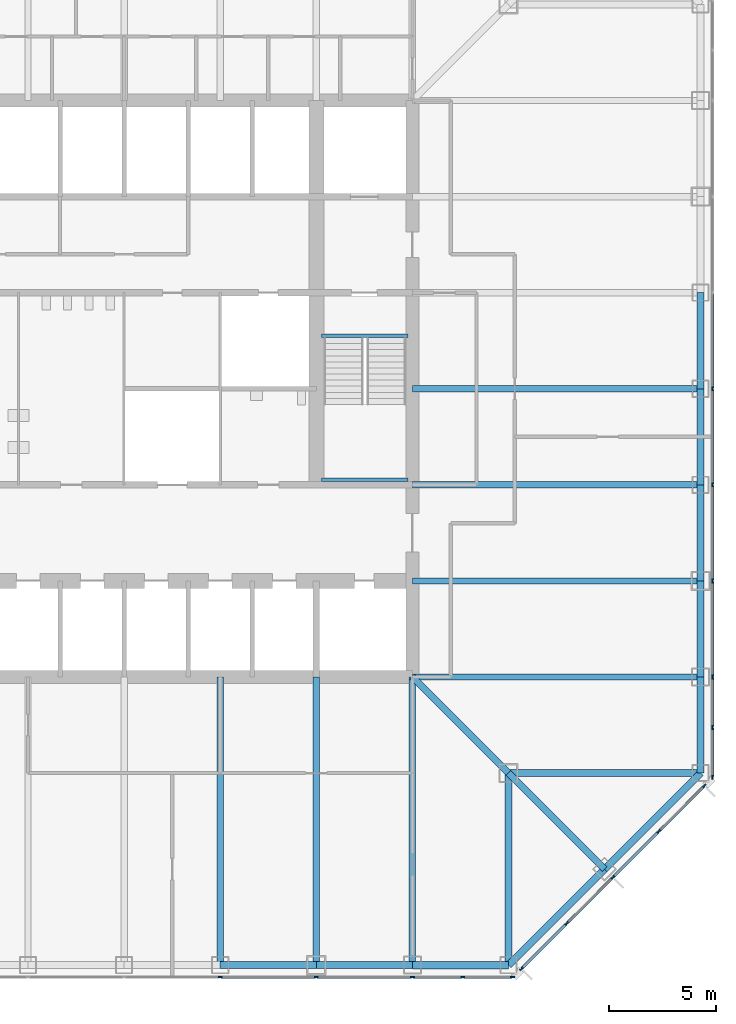
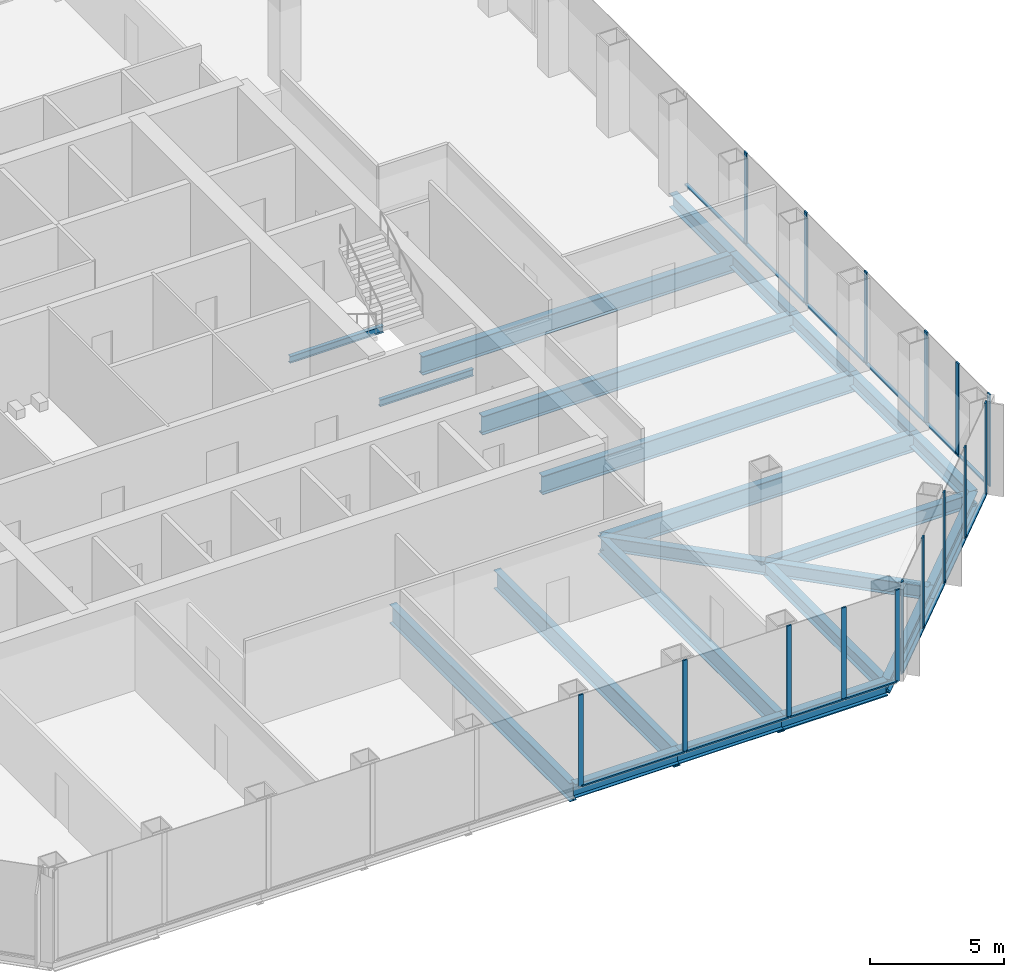
# One storey, part 4 of 13: 30 members, 23 beams, 3 elements without a shape of their own.
"""IFC4 building model written with IfcOpenShell, lengths in metres."""

from ifc_helpers import new_model, si_unit, direction, frame, origin, origin_2d, place, context, subcontext, project, spatial, rectangle, i_section, extrude, material, material_profile, profile_set, type_object, element, aggregate, save


model = new_model("IFC4")

# Units and contexts
model_context = context("Model", 3, precision=1e-05, world=origin(), true_north=direction((0.0, 1.0)))
body_context = subcontext(model_context, "Body", "Model", "MODEL_VIEW")
ifc_project = project(units=[si_unit("LENGTHUNIT", "METRE"), si_unit("AREAUNIT", "SQUARE_METRE"), si_unit("VOLUMEUNIT", "CUBIC_METRE"), si_unit("PLANEANGLEUNIT", "RADIAN"), si_unit("MASSUNIT", "GRAM", prefix="KILO")], contexts=[model_context])

# Site, building, storey
site_placement = place(None, origin())
site = spatial("IfcSite", under=ifc_project, at=site_placement, CompositionType="ELEMENT")
building_placement = place(site_placement, origin())
building = spatial("IfcBuilding", under=site, at=building_placement, Name="Corais Broadcast Tower", CompositionType="ELEMENT")
storey_placement = place(building_placement, frame((0.0, 0.0, 62.60009765625)))
storey = spatial("IfcBuildingStorey", under=building, at=storey_placement, Name="L13", CompositionType="ELEMENT", Elevation=62.60009765625)

# Beams
ifc_material_1 = material(Name="Steel ASTM A572 Grade 50", Category="steel")
ifc_material_profile_1 = material_profile(ifc_material_1, i_section(OverallWidth=0.323974609375, OverallDepth=0.611083984375, WebThickness=0.0126953125, FlangeThickness=0.01904296875, at=origin_2d()), Name="W610x155")
ifc_profile_set_1 = profile_set([ifc_material_profile_1], Name="Steel ASTM A572 Grade 50")
beam_type_1 = type_object("IfcBeamType", Name="Chamfer tie W610x155", PredefinedType="BEAM", material=ifc_profile_set_1)
beam_1_placement = place(storey_placement, frame((49.5, 4.5, -0.465576171875), z_axis=(-0.707106781187, 0.707106781187, 0.0), x_axis=(-0.707106781187, -0.707106781187, 0.0)))
element("IfcBeam", 1, at=beam_1_placement, inside=storey, type_object=beam_type_1, Name="B5 B/14 to C/13", PredefinedType="BEAM", context=body_context, shape_type="SweptSolid", body=[
    extrude(i_section(OverallWidth=0.323974609375, OverallDepth=0.611083984375, WebThickness=0.0126953125, FlangeThickness=0.01904296875, at=origin_2d()), origin(), (0.0, 0.0, 1.0), 6.364013671875),
])
ifc_material_2 = material(Name="Steel ASTM A572 Grade 50", Category="steel")
ifc_material_profile_2 = material_profile(ifc_material_2, i_section(OverallWidth=0.323974609375, OverallDepth=0.611083984375, WebThickness=0.0126953125, FlangeThickness=0.01904296875, at=origin_2d()), Name="W610x155")
ifc_profile_set_2 = profile_set([ifc_material_profile_2], Name="Steel ASTM A572 Grade 50")
beam_type_2 = type_object("IfcBeamType", Name="Corner diagonal W610x155", PredefinedType="BEAM", material=ifc_profile_set_2)
beam_2_placement = place(storey_placement, frame((45.0, 9.0, -0.465576171875), z_axis=(-0.707106781187, 0.707106781187, 0.0), x_axis=(-0.707106781187, -0.707106781187, 0.0)))
element("IfcBeam", 2, at=beam_2_placement, inside=storey, type_object=beam_type_2, Name="B6 C/13 to D/12", PredefinedType="BEAM", context=body_context, shape_type="SweptSolid", body=[
    extrude(i_section(OverallWidth=0.323974609375, OverallDepth=0.611083984375, WebThickness=0.0126953125, FlangeThickness=0.01904296875, at=origin_2d()), origin(), (0.0, 0.0, 1.0), 6.364013671875),
])
ifc_material_3 = material(Name="Steel ASTM A572 Grade 50", Category="steel")
ifc_material_profile_3 = material_profile(ifc_material_3, i_section(OverallWidth=0.323974609375, OverallDepth=0.611083984375, WebThickness=0.0126953125, FlangeThickness=0.01904296875, at=origin_2d()), Name="W610x155")
ifc_profile_set_3 = profile_set([ifc_material_profile_3], Name="Steel ASTM A572 Grade 50")
beam_type_3 = type_object("IfcBeamType", Name="Corner girder W610x155", PredefinedType="BEAM", material=ifc_profile_set_3)
for number, where, z_axis, x_axis, name in (
    (3, (45.0, 0.0, -0.465576171875), (0.0, 1.0, 0.0), (-1.0, 0.0, 0.0), "B4 A/13 to C/13"),
    (4, (54.0, 9.0, -0.465576171875), (-1.0, 0.0, 0.0), (0.0, -1.0, 0.0), "B4 C/15 to C/13"),
):
    element("IfcBeam", number, at=place(storey_placement, frame(where, z_axis=z_axis, x_axis=x_axis)), inside=storey, type_object=beam_type_3, Name=name, PredefinedType="BEAM", context=body_context, shape_type="SweptSolid", body=[
        extrude(i_section(OverallWidth=0.323974609375, OverallDepth=0.611083984375, WebThickness=0.0126953125, FlangeThickness=0.01904296875, at=origin_2d()), origin(), (0.0, 0.0, 1.0), 9.0),
    ])
ifc_material_4 = material(Name="Steel ASTM A572 Grade 50", Category="steel")
ifc_material_profile_4 = material_profile(ifc_material_4, i_section(OverallWidth=0.337890625, OverallDepth=0.677978515625, WebThickness=0.029541015625, FlangeThickness=0.052978515625, at=origin_2d()), Name="W610x415")
ifc_profile_set_4 = profile_set([ifc_material_profile_4], Name="Steel ASTM A572 Grade 50")
beam_type_4 = type_object("IfcBeamType", Name="Corner spandrel W610x415", PredefinedType="BEAM", material=ifc_profile_set_4)
for number, where, z_axis, x_axis, name in (
    (5, (40.5, 0.0, -0.4990234375), (1.0, 0.0, 0.0), (0.0, 1.0, 0.0), "SB10 A/12 to A/13"),
    (6, (54.0, 9.0, -0.4990234375), (0.0, 1.0, 0.0), (-1.0, 0.0, 0.0), "SB10 C/15 to D/15"),
):
    element("IfcBeam", number, at=place(storey_placement, frame(where, z_axis=z_axis, x_axis=x_axis)), inside=storey, type_object=beam_type_4, Name=name, PredefinedType="BEAM", context=body_context, shape_type="SweptSolid", body=[
        extrude(i_section(OverallWidth=0.337890625, OverallDepth=0.677978515625, WebThickness=0.029541015625, FlangeThickness=0.052978515625, at=origin_2d()), origin(), (0.0, 0.0, 1.0), 4.5),
    ])
ifc_material_5 = material(Name="Steel ASTM A572 Grade 50", Category="steel")
ifc_material_profile_5 = material_profile(ifc_material_5, i_section(OverallWidth=0.2939453125, OverallDepth=0.85107421875, WebThickness=0.01611328125, FlangeThickness=0.02685546875, at=origin_2d()), Name="W840x226")
ifc_profile_set_5 = profile_set([ifc_material_profile_5], Name="Steel ASTM A572 Grade 50")
beam_type_5 = type_object("IfcBeamType", Name="Floor beam W840x226", PredefinedType="BEAM", material=ifc_profile_set_5)
for number, where, z_axis, x_axis, name in (
    (7, (31.5, 0.0, -0.585693359375), (0.0, 1.0, 0.0), (-1.0, 0.0, 0.0), "B1 A/10 to D/10"),
    (8, (36.0, 0.0, -0.585693359375), (0.0, 1.0, 0.0), (-1.0, 0.0, 0.0), "B1 A/11 to D/11"),
    (9, (40.5, 0.0, -0.585693359375), (0.0, 1.0, 0.0), (-1.0, 0.0, 0.0), "B1 A/12 to D/12"),
    (10, (54.0, 13.5, -0.585693359375), (-1.0, 0.0, 0.0), (0.0, -1.0, 0.0), "B1 D/15 to D/12"),
    (11, (54.0, 18.0, -0.585693359375), (-1.0, 0.0, 0.0), (0.0, -1.0, 0.0), "B1 E/15 to E/12"),
    (12, (54.0, 22.5, -0.585693359375), (-1.0, 0.0, 0.0), (0.0, -1.0, 0.0), "B1 F/15 to F/12"),
    (13, (54.0, 27.0, -0.585693359375), (-1.0, 0.0, 0.0), (0.0, -1.0, 0.0), "B1 G/15 to G/12"),
):
    element("IfcBeam", number, at=place(storey_placement, frame(where, z_axis=z_axis, x_axis=x_axis)), inside=storey, type_object=beam_type_5, Name=name, PredefinedType="BEAM", context=body_context, shape_type="SweptSolid", body=[
        extrude(i_section(OverallWidth=0.2939453125, OverallDepth=0.85107421875, WebThickness=0.01611328125, FlangeThickness=0.02685546875, at=origin_2d()), origin(), (0.0, 0.0, 1.0), 13.5),
    ])
ifc_material_6 = material(Name="Steel ASTM A572 Grade 50", Category="steel")
ifc_material_profile_6 = material_profile(ifc_material_6, i_section(OverallWidth=0.1650390625, OverallDepth=0.31005859375, WebThickness=0.005859375, FlangeThickness=0.009765625, at=origin_2d()), Name="W310x38.7")
ifc_profile_set_6 = profile_set([ifc_material_profile_6], Name="Steel ASTM A572 Grade 50")
beam_type_6 = type_object("IfcBeamType", Name="Landing trimmer W310x38.7", PredefinedType="BEAM", material=ifc_profile_set_6)
for number, where, z_axis, x_axis, name in (
    (14, (36.25, 29.47509765625, -0.35498046875), (1.0, 0.0, 0.0), (0.0, 1.0, 0.0), "LT1 stair B landing trimmer L13"),
    (15, (36.25, 22.739990234375, 1.744873046875), (1.0, 0.0, 0.0), (0.0, 1.0, 0.0), "LT1 stair B half landing trimmer L13"),
):
    element("IfcBeam", number, at=place(storey_placement, frame(where, z_axis=z_axis, x_axis=x_axis)), inside=storey, type_object=beam_type_6, Name=name, PredefinedType="BEAM", context=body_context, shape_type="SweptSolid", body=[
        extrude(i_section(OverallWidth=0.1650390625, OverallDepth=0.31005859375, WebThickness=0.005859375, FlangeThickness=0.009765625, at=origin_2d()), origin(), (0.0, 0.0, 1.0), 4.050048828125),
    ])

# Curtain wall, members
ifc_material_7 = material(Name="Aluminium and glass", Category="aluminium")
curtain_wall_type = type_object("IfcCurtainWallType", Name="Unitised fritted curtain wall CW1", PredefinedType="NOTDEFINED", material=ifc_material_7)
curtain_wall_1_placement = place(storey_placement, origin())
curtain_wall_1 = element("IfcCurtainWall", 16, at=curtain_wall_1_placement, inside=storey, type_object=curtain_wall_type, Name="CW1 curtain wall L13 6", PredefinedType="NOTDEFINED")
ifc_material_8 = material(Name="Aluminium 6063-T6", Category="aluminium")
ifc_material_profile_7 = material_profile(ifc_material_8, rectangle(XDim=0.06494140625, YDim=0.199951171875, at=origin_2d()), Name="Mullion CW1 65x200")
ifc_profile_set_7 = profile_set([ifc_material_profile_7], Name="Aluminium 6063-T6")
member_type_1 = type_object("IfcMemberType", Name="Mullion CW1 65x200", PredefinedType="MULLION", material=ifc_profile_set_7)
member_1_placement = place(storey_placement, frame((54.550048828125, 27.0, 0.0), z_axis=(0.0, 0.0, 1.0), x_axis=(1.0, 0.0, 0.0)))
member_1 = element("IfcMember", 17, at=member_1_placement, type_object=member_type_1, Name="CW1 mullion 6", PredefinedType="MULLION", context=body_context, shape_type="SweptSolid", body=[
    extrude(rectangle(XDim=0.06494140625, YDim=0.199951171875, at=origin_2d()), origin(), (0.0, 0.0, 1.0), 4.199951171875),
])
member_2_placement = place(storey_placement, frame((54.550048828125, 22.5, 0.0), z_axis=(0.0, 0.0, 1.0), x_axis=(1.0, 0.0, 0.0)))
member_2 = element("IfcMember", 18, at=member_2_placement, type_object=member_type_1, Name="CW1 mullion 7", PredefinedType="MULLION", context=body_context, shape_type="SweptSolid", body=[
    extrude(rectangle(XDim=0.06494140625, YDim=0.199951171875, at=origin_2d()), origin(), (0.0, 0.0, 1.0), 4.199951171875),
])
member_3_placement = place(storey_placement, frame((54.550048828125, 18.0, 0.0), z_axis=(0.0, 0.0, 1.0), x_axis=(1.0, 0.0, 0.0)))
member_3 = element("IfcMember", 19, at=member_3_placement, type_object=member_type_1, Name="CW1 mullion 8", PredefinedType="MULLION", context=body_context, shape_type="SweptSolid", body=[
    extrude(rectangle(XDim=0.06494140625, YDim=0.199951171875, at=origin_2d()), origin(), (0.0, 0.0, 1.0), 4.199951171875),
])
member_4_placement = place(storey_placement, frame((54.550048828125, 13.5, 0.0), z_axis=(0.0, 0.0, 1.0), x_axis=(1.0, 0.0, 0.0)))
member_4 = element("IfcMember", 20, at=member_4_placement, type_object=member_type_1, Name="CW1 mullion 9", PredefinedType="MULLION", context=body_context, shape_type="SweptSolid", body=[
    extrude(rectangle(XDim=0.06494140625, YDim=0.199951171875, at=origin_2d()), origin(), (0.0, 0.0, 1.0), 4.199951171875),
])
member_5_placement = place(storey_placement, frame((54.550048828125, 11.135986328125, 0.0), z_axis=(0.0, 0.0, 1.0), x_axis=(1.0, 0.0, 0.0)))
member_5 = element("IfcMember", 21, at=member_5_placement, type_object=member_type_1, Name="CW1 mullion 10", PredefinedType="MULLION", context=body_context, shape_type="SweptSolid", body=[
    extrude(rectangle(XDim=0.06494140625, YDim=0.199951171875, at=origin_2d()), origin(), (0.0, 0.0, 1.0), 4.199951171875),
])
member_6_placement = place(storey_placement, frame((54.550048828125, 8.8046875, 0.0), z_axis=(0.0, 0.0, 1.0), x_axis=(1.0, 0.0, 0.0)))
member_6 = element("IfcMember", 22, at=member_6_placement, type_object=member_type_1, Name="CW1 mullion 11", PredefinedType="MULLION", context=body_context, shape_type="SweptSolid", body=[
    extrude(rectangle(XDim=0.06494140625, YDim=0.199951171875, at=origin_2d()), origin(), (0.0, 0.0, 1.0), 4.199951171875),
])

curtain_wall_2_placement = place(storey_placement, origin())
curtain_wall_2 = element("IfcCurtainWall", 23, at=curtain_wall_2_placement, inside=storey, type_object=curtain_wall_type, Name="CW1 curtain wall L13 7", PredefinedType="NOTDEFINED")
member_7_placement = place(storey_placement, frame((54.17333984375, 8.3955078125, 0.0), z_axis=(0.0, 0.0, 1.0), x_axis=(0.707106781187, -0.707106781187, 0.0)))
member_7 = element("IfcMember", 24, at=member_7_placement, type_object=member_type_1, Name="CW1 mullion 1", PredefinedType="MULLION", context=body_context, shape_type="SweptSolid", body=[
    extrude(rectangle(XDim=0.06494140625, YDim=0.199951171875, at=origin_2d()), origin(), (0.0, 0.0, 1.0), 4.199951171875),
])
member_8_placement = place(storey_placement, frame((52.042724609375, 6.264892578125, 0.0), z_axis=(0.0, 0.0, 1.0), x_axis=(0.707106781187, -0.707106781187, 0.0)))
member_8 = element("IfcMember", 25, at=member_8_placement, type_object=member_type_1, Name="CW1 mullion 2", PredefinedType="MULLION", context=body_context, shape_type="SweptSolid", body=[
    extrude(rectangle(XDim=0.06494140625, YDim=0.199951171875, at=origin_2d()), origin(), (0.0, 0.0, 1.0), 4.199951171875),
])
member_9_placement = place(storey_placement, frame((49.888916015625, 4.111083984375, 0.0), z_axis=(0.0, 0.0, 1.0), x_axis=(0.707106781187, -0.707106781187, 0.0)))
member_9 = element("IfcMember", 26, at=member_9_placement, type_object=member_type_1, Name="CW1 mullion 3", PredefinedType="MULLION", context=body_context, shape_type="SweptSolid", body=[
    extrude(rectangle(XDim=0.06494140625, YDim=0.199951171875, at=origin_2d()), origin(), (0.0, 0.0, 1.0), 4.199951171875),
])
member_10_placement = place(storey_placement, frame((47.735107421875, 1.957275390625, 0.0), z_axis=(0.0, 0.0, 1.0), x_axis=(0.707106781187, -0.707106781187, 0.0)))
member_10 = element("IfcMember", 27, at=member_10_placement, type_object=member_type_1, Name="CW1 mullion 4", PredefinedType="MULLION", context=body_context, shape_type="SweptSolid", body=[
    extrude(rectangle(XDim=0.06494140625, YDim=0.199951171875, at=origin_2d()), origin(), (0.0, 0.0, 1.0), 4.199951171875),
])
member_11_placement = place(storey_placement, frame((45.6044921875, -0.17333984375, 0.0), z_axis=(0.0, 0.0, 1.0), x_axis=(0.707106781187, -0.707106781187, 0.0)))
member_11 = element("IfcMember", 28, at=member_11_placement, type_object=member_type_1, Name="CW1 mullion 5", PredefinedType="MULLION", context=body_context, shape_type="SweptSolid", body=[
    extrude(rectangle(XDim=0.06494140625, YDim=0.199951171875, at=origin_2d()), origin(), (0.0, 0.0, 1.0), 4.199951171875),
])

curtain_wall_3_placement = place(storey_placement, origin())
curtain_wall_3 = element("IfcCurtainWall", 29, at=curtain_wall_3_placement, inside=storey, type_object=curtain_wall_type, Name="CW1 curtain wall L13 8", PredefinedType="NOTDEFINED")
member_12_placement = place(storey_placement, frame((45.1953125, -0.550048828125, 0.0), z_axis=(0.0, 0.0, 1.0), x_axis=(0.0, -1.0, 0.0)))
member_12 = element("IfcMember", 30, at=member_12_placement, type_object=member_type_1, Name="CW1 mullion 1", PredefinedType="MULLION", context=body_context, shape_type="SweptSolid", body=[
    extrude(rectangle(XDim=0.06494140625, YDim=0.199951171875, at=origin_2d()), origin(), (0.0, 0.0, 1.0), 4.199951171875),
])
member_13_placement = place(storey_placement, frame((42.864013671875, -0.550048828125, 0.0), z_axis=(0.0, 0.0, 1.0), x_axis=(0.0, -1.0, 0.0)))
member_13 = element("IfcMember", 31, at=member_13_placement, type_object=member_type_1, Name="CW1 mullion 2", PredefinedType="MULLION", context=body_context, shape_type="SweptSolid", body=[
    extrude(rectangle(XDim=0.06494140625, YDim=0.199951171875, at=origin_2d()), origin(), (0.0, 0.0, 1.0), 4.199951171875),
])
member_14_placement = place(storey_placement, frame((40.5, -0.550048828125, 0.0), z_axis=(0.0, 0.0, 1.0), x_axis=(0.0, -1.0, 0.0)))
member_14 = element("IfcMember", 32, at=member_14_placement, type_object=member_type_1, Name="CW1 mullion 3", PredefinedType="MULLION", context=body_context, shape_type="SweptSolid", body=[
    extrude(rectangle(XDim=0.06494140625, YDim=0.199951171875, at=origin_2d()), origin(), (0.0, 0.0, 1.0), 4.199951171875),
])
member_15_placement = place(storey_placement, frame((36.0, -0.550048828125, 0.0), z_axis=(0.0, 0.0, 1.0), x_axis=(0.0, -1.0, 0.0)))
member_15 = element("IfcMember", 33, at=member_15_placement, type_object=member_type_1, Name="CW1 mullion 4", PredefinedType="MULLION", context=body_context, shape_type="SweptSolid", body=[
    extrude(rectangle(XDim=0.06494140625, YDim=0.199951171875, at=origin_2d()), origin(), (0.0, 0.0, 1.0), 4.199951171875),
])
member_16_placement = place(storey_placement, frame((31.5, -0.550048828125, 0.0), z_axis=(0.0, 0.0, 1.0), x_axis=(0.0, -1.0, 0.0)))
member_16 = element("IfcMember", 34, at=member_16_placement, type_object=member_type_1, Name="CW1 mullion 5", PredefinedType="MULLION", context=body_context, shape_type="SweptSolid", body=[
    extrude(rectangle(XDim=0.06494140625, YDim=0.199951171875, at=origin_2d()), origin(), (0.0, 0.0, 1.0), 4.199951171875),
])

# Beams
ifc_material_9 = material(Name="Steel ASTM A572 Grade 50", Category="steel")
ifc_material_profile_8 = material_profile(ifc_material_9, i_section(OverallWidth=0.3291015625, OverallDepth=0.635009765625, WebThickness=0.017822265625, FlangeThickness=0.031005859375, at=origin_2d()), Name="W610x241")
ifc_profile_set_8 = profile_set([ifc_material_profile_8], Name="Steel ASTM A572 Grade 50")
beam_type_7 = type_object("IfcBeamType", Name="Spandrel W610x241", PredefinedType="BEAM", material=ifc_profile_set_8)
for number, where, z_axis, x_axis, name in (
    (35, (31.5, 0.0, -0.4775390625), (1.0, 0.0, 0.0), (0.0, 1.0, 0.0), "SB1 A/10 to A/11"),
    (36, (36.0, 0.0, -0.4775390625), (1.0, 0.0, 0.0), (0.0, 1.0, 0.0), "SB1 A/11 to A/12"),
):
    element("IfcBeam", number, at=place(storey_placement, frame(where, z_axis=z_axis, x_axis=x_axis)), inside=storey, type_object=beam_type_7, Name=name, PredefinedType="BEAM", context=body_context, shape_type="SweptSolid", body=[
        extrude(i_section(OverallWidth=0.3291015625, OverallDepth=0.635009765625, WebThickness=0.017822265625, FlangeThickness=0.031005859375, at=origin_2d()), origin(), (0.0, 0.0, 1.0), 4.5),
    ])
for number, where, z_axis, x_axis, name in (
    (37, (45.0, 0.0, -0.4775390625), (0.707106781187, 0.707106781187, 0.0), (-0.707106781187, 0.707106781187, 0.0), "SB1 A/13 to B/14"),
    (38, (49.5, 4.5, -0.4775390625), (0.707106781187, 0.707106781187, 0.0), (-0.707106781187, 0.707106781187, 0.0), "SB1 B/14 to C/15"),
):
    element("IfcBeam", number, at=place(storey_placement, frame(where, z_axis=z_axis, x_axis=x_axis)), inside=storey, type_object=beam_type_7, Name=name, PredefinedType="BEAM", context=body_context, shape_type="SweptSolid", body=[
        extrude(i_section(OverallWidth=0.3291015625, OverallDepth=0.635009765625, WebThickness=0.017822265625, FlangeThickness=0.031005859375, at=origin_2d()), origin(), (0.0, 0.0, 1.0), 6.364013671875),
    ])
for number, where, z_axis, x_axis, name in (
    (39, (54.0, 13.5, -0.4775390625), (0.0, 1.0, 0.0), (-1.0, 0.0, 0.0), "SB1 D/15 to E/15"),
    (40, (54.0, 18.0, -0.4775390625), (0.0, 1.0, 0.0), (-1.0, 0.0, 0.0), "SB1 E/15 to F/15"),
    (41, (54.0, 22.5, -0.4775390625), (0.0, 1.0, 0.0), (-1.0, 0.0, 0.0), "SB1 F/15 to G/15"),
    (42, (54.0, 27.0, -0.4775390625), (0.0, 1.0, 0.0), (-1.0, 0.0, 0.0), "SB1 G/15 to H/15"),
):
    element("IfcBeam", number, at=place(storey_placement, frame(where, z_axis=z_axis, x_axis=x_axis)), inside=storey, type_object=beam_type_7, Name=name, PredefinedType="BEAM", context=body_context, shape_type="SweptSolid", body=[
        extrude(i_section(OverallWidth=0.3291015625, OverallDepth=0.635009765625, WebThickness=0.017822265625, FlangeThickness=0.031005859375, at=origin_2d()), origin(), (0.0, 0.0, 1.0), 4.5),
    ])

# Member
ifc_material_10 = material(Name="Aluminium 6063-T6", Category="aluminium")
ifc_material_profile_9 = material_profile(ifc_material_10, rectangle(XDim=0.139892578125, YDim=0.06494140625, at=origin_2d()), Name="Transom CW1 65x140")
ifc_profile_set_9 = profile_set([ifc_material_profile_9], Name="Aluminium 6063-T6")
member_type_2 = type_object("IfcMemberType", Name="Transom CW1 65x140", PredefinedType="USERDEFINED", material=ifc_profile_set_9)
member_17_placement = place(storey_placement, frame((54.550048828125, 31.467529296875, 0.032470703125), z_axis=(0.0, -1.0, 0.0), x_axis=(1.0, 0.0, 0.0)))
member_17 = element("IfcMember", 43, at=member_17_placement, type_object=member_type_2, Name="CW1 transom 5.1", ObjectType="TRANSOM", PredefinedType="USERDEFINED", context=body_context, shape_type="SweptSolid", body=[
    extrude(rectangle(XDim=0.139892578125, YDim=0.06494140625, at=origin_2d()), origin(), (0.0, 0.0, 1.0), 4.43505859375),
])

member_18_placement = place(storey_placement, frame((54.550048828125, 26.967529296875, 0.032470703125), z_axis=(0.0, -1.0, 0.0), x_axis=(1.0, 0.0, 0.0)))
member_18 = element("IfcMember", 44, at=member_18_placement, type_object=member_type_2, Name="CW1 transom 6.1", ObjectType="TRANSOM", PredefinedType="USERDEFINED", context=body_context, shape_type="SweptSolid", body=[
    extrude(rectangle(XDim=0.139892578125, YDim=0.06494140625, at=origin_2d()), origin(), (0.0, 0.0, 1.0), 4.43505859375),
])

member_19_placement = place(storey_placement, frame((54.550048828125, 22.467529296875, 0.032470703125), z_axis=(0.0, -1.0, 0.0), x_axis=(1.0, 0.0, 0.0)))
member_19 = element("IfcMember", 45, at=member_19_placement, type_object=member_type_2, Name="CW1 transom 7.1", ObjectType="TRANSOM", PredefinedType="USERDEFINED", context=body_context, shape_type="SweptSolid", body=[
    extrude(rectangle(XDim=0.139892578125, YDim=0.06494140625, at=origin_2d()), origin(), (0.0, 0.0, 1.0), 4.43505859375),
])

member_20_placement = place(storey_placement, frame((54.550048828125, 17.967529296875, 0.032470703125), z_axis=(0.0, -1.0, 0.0), x_axis=(1.0, 0.0, 0.0)))
member_20 = element("IfcMember", 46, at=member_20_placement, type_object=member_type_2, Name="CW1 transom 8.1", ObjectType="TRANSOM", PredefinedType="USERDEFINED", context=body_context, shape_type="SweptSolid", body=[
    extrude(rectangle(XDim=0.139892578125, YDim=0.06494140625, at=origin_2d()), origin(), (0.0, 0.0, 1.0), 4.43505859375),
])

member_21_placement = place(storey_placement, frame((54.550048828125, 13.467529296875, 0.032470703125), z_axis=(0.0, -1.0, 0.0), x_axis=(1.0, 0.0, 0.0)))
member_21 = element("IfcMember", 47, at=member_21_placement, type_object=member_type_2, Name="CW1 transom 9.1", ObjectType="TRANSOM", PredefinedType="USERDEFINED", context=body_context, shape_type="SweptSolid", body=[
    extrude(rectangle(XDim=0.139892578125, YDim=0.06494140625, at=origin_2d()), origin(), (0.0, 0.0, 1.0), 2.298828125),
])

member_22_placement = place(storey_placement, frame((54.550048828125, 11.103515625, 0.032470703125), z_axis=(0.0, -1.0, 0.0), x_axis=(1.0, 0.0, 0.0)))
member_22 = element("IfcMember", 48, at=member_22_placement, type_object=member_type_2, Name="CW1 transom 10.1", ObjectType="TRANSOM", PredefinedType="USERDEFINED", context=body_context, shape_type="SweptSolid", body=[
    extrude(rectangle(XDim=0.139892578125, YDim=0.06494140625, at=origin_2d()), origin(), (0.0, 0.0, 1.0), 2.266357421875),
])

aggregate(curtain_wall_1, [member_1, member_2, member_3, member_4, member_5, member_6, member_17, member_18, member_19, member_20, member_21, member_22])

member_23_placement = place(storey_placement, frame((54.150390625, 8.37255859375, 0.032470703125), z_axis=(-0.707106781187, -0.707106781187, 0.0), x_axis=(0.707106781187, -0.707106781187, 0.0)))
member_23 = element("IfcMember", 49, at=member_23_placement, type_object=member_type_2, Name="CW1 transom 1.1", ObjectType="TRANSOM", PredefinedType="USERDEFINED", context=body_context, shape_type="SweptSolid", body=[
    extrude(rectangle(XDim=0.139892578125, YDim=0.06494140625, at=origin_2d()), origin(), (0.0, 0.0, 1.0), 2.9482421875),
])

member_24_placement = place(storey_placement, frame((52.019775390625, 6.241943359375, 0.032470703125), z_axis=(-0.707106781187, -0.707106781187, 0.0), x_axis=(0.707106781187, -0.707106781187, 0.0)))
member_24 = element("IfcMember", 50, at=member_24_placement, type_object=member_type_2, Name="CW1 transom 2.1", ObjectType="TRANSOM", PredefinedType="USERDEFINED", context=body_context, shape_type="SweptSolid", body=[
    extrude(rectangle(XDim=0.139892578125, YDim=0.06494140625, at=origin_2d()), origin(), (0.0, 0.0, 1.0), 2.98095703125),
])

member_25_placement = place(storey_placement, frame((49.865966796875, 4.088134765625, 0.032470703125), z_axis=(-0.707106781187, -0.707106781187, 0.0), x_axis=(0.707106781187, -0.707106781187, 0.0)))
member_25 = element("IfcMember", 51, at=member_25_placement, type_object=member_type_2, Name="CW1 transom 3.1", ObjectType="TRANSOM", PredefinedType="USERDEFINED", context=body_context, shape_type="SweptSolid", body=[
    extrude(rectangle(XDim=0.139892578125, YDim=0.06494140625, at=origin_2d()), origin(), (0.0, 0.0, 1.0), 2.98095703125),
])

member_26_placement = place(storey_placement, frame((47.712158203125, 1.934326171875, 0.032470703125), z_axis=(-0.707106781187, -0.707106781187, 0.0), x_axis=(0.707106781187, -0.707106781187, 0.0)))
member_26 = element("IfcMember", 52, at=member_26_placement, type_object=member_type_2, Name="CW1 transom 4.1", ObjectType="TRANSOM", PredefinedType="USERDEFINED", context=body_context, shape_type="SweptSolid", body=[
    extrude(rectangle(XDim=0.139892578125, YDim=0.06494140625, at=origin_2d()), origin(), (0.0, 0.0, 1.0), 2.9482421875),
])

aggregate(curtain_wall_2, [member_7, member_8, member_9, member_10, member_11, member_23, member_24, member_25, member_26])

member_27_placement = place(storey_placement, frame((45.162841796875, -0.550048828125, 0.032470703125), z_axis=(-1.0, 0.0, 0.0), x_axis=(0.0, -1.0, 0.0)))
member_27 = element("IfcMember", 53, at=member_27_placement, type_object=member_type_2, Name="CW1 transom 1.1", ObjectType="TRANSOM", PredefinedType="USERDEFINED", context=body_context, shape_type="SweptSolid", body=[
    extrude(rectangle(XDim=0.139892578125, YDim=0.06494140625, at=origin_2d()), origin(), (0.0, 0.0, 1.0), 2.266357421875),
])

member_28_placement = place(storey_placement, frame((42.831298828125, -0.550048828125, 0.032470703125), z_axis=(-1.0, 0.0, 0.0), x_axis=(0.0, -1.0, 0.0)))
member_28 = element("IfcMember", 54, at=member_28_placement, type_object=member_type_2, Name="CW1 transom 2.1", ObjectType="TRANSOM", PredefinedType="USERDEFINED", context=body_context, shape_type="SweptSolid", body=[
    extrude(rectangle(XDim=0.139892578125, YDim=0.06494140625, at=origin_2d()), origin(), (0.0, 0.0, 1.0), 2.298828125),
])

member_29_placement = place(storey_placement, frame((40.467529296875, -0.550048828125, 0.032470703125), z_axis=(-1.0, 0.0, 0.0), x_axis=(0.0, -1.0, 0.0)))
member_29 = element("IfcMember", 55, at=member_29_placement, type_object=member_type_2, Name="CW1 transom 3.1", ObjectType="TRANSOM", PredefinedType="USERDEFINED", context=body_context, shape_type="SweptSolid", body=[
    extrude(rectangle(XDim=0.139892578125, YDim=0.06494140625, at=origin_2d()), origin(), (0.0, 0.0, 1.0), 4.43505859375),
])

member_30_placement = place(storey_placement, frame((35.967529296875, -0.550048828125, 0.032470703125), z_axis=(-1.0, 0.0, 0.0), x_axis=(0.0, -1.0, 0.0)))
member_30 = element("IfcMember", 56, at=member_30_placement, type_object=member_type_2, Name="CW1 transom 4.1", ObjectType="TRANSOM", PredefinedType="USERDEFINED", context=body_context, shape_type="SweptSolid", body=[
    extrude(rectangle(XDim=0.139892578125, YDim=0.06494140625, at=origin_2d()), origin(), (0.0, 0.0, 1.0), 4.43505859375),
])

aggregate(curtain_wall_3, [member_12, member_13, member_14, member_15, member_16, member_27, member_28, member_29, member_30])

save(model, "model.ifc")
